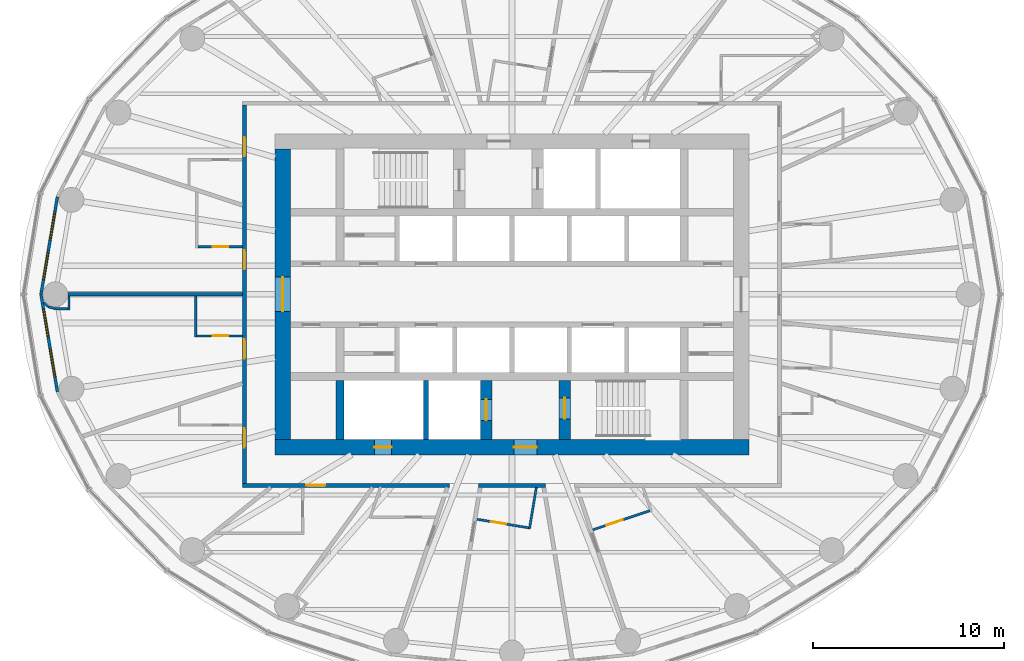
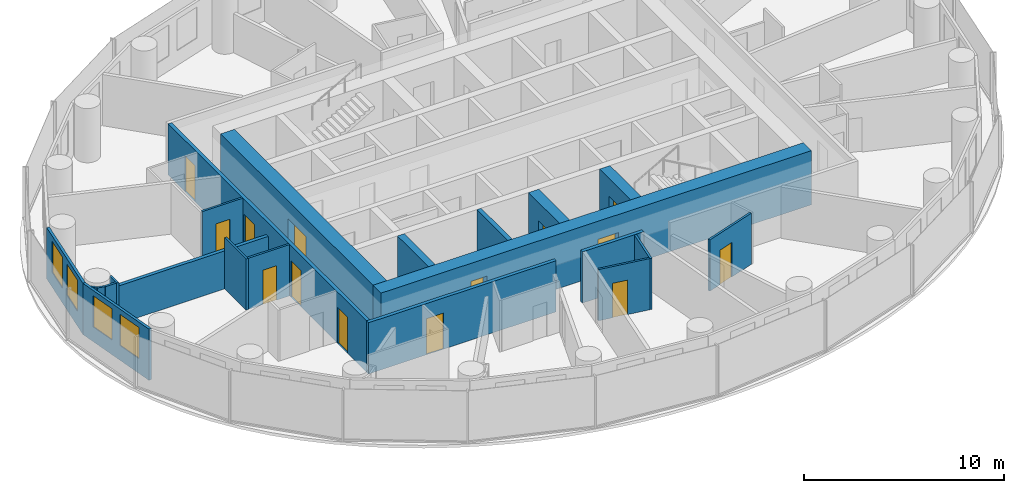
# One storey, part 7 of 13: 22 walls, 14 doors, 4 windows, 18 openings.
"""IFC4 building model written with IfcOpenShell, lengths in metres."""

from ifc_helpers import new_model, si_unit, direction, frame, frame_2d, origin, place, context, subcontext, project, spatial, rectangle, extrude, material, layer, layer_set, type_object, element, fill, save


model = new_model("IFC4")

# Units and contexts
model_context = context("Model", 3, precision=1e-05, world=origin(), true_north=direction((0.0, 1.0)))
body_context = subcontext(model_context, "Body", "Model", "MODEL_VIEW")
ifc_project = project(units=[si_unit("LENGTHUNIT", "METRE"), si_unit("AREAUNIT", "SQUARE_METRE"), si_unit("VOLUMEUNIT", "CUBIC_METRE"), si_unit("PLANEANGLEUNIT", "RADIAN"), si_unit("MASSUNIT", "GRAM", prefix="KILO")], contexts=[model_context])

# Site, building, storey
site_placement = place(None, origin())
site = spatial("IfcSite", under=ifc_project, at=site_placement, CompositionType="ELEMENT")
building_placement = place(site_placement, origin())
building = spatial("IfcBuilding", under=site, at=building_placement, Name="Hankou Lantern Tower", CompositionType="ELEMENT")
storey_placement = place(building_placement, frame((0.0, 0.0, 122.10009765625)))
storey = spatial("IfcBuildingStorey", under=building, at=storey_placement, Name="L31", CompositionType="ELEMENT", Elevation=122.10009765625)

# Wall, openings, doors
ifc_material_1 = material(Name="Concrete C60", Category="concrete")
ifc_layer_1 = layer(ifc_material_1, 0.800048828125)
ifc_layer_set_1 = layer_set([ifc_layer_1], Name="Concrete C60")
wall_type_1 = type_object("IfcWallType", Name="CW2 CORE WALL 800", PredefinedType="SHEAR", material=ifc_layer_set_1)
wall_1_placement = place(storey_placement, frame((12.39990234375, -8.0, 0.0), z_axis=(0.0, 0.0, 1.0), x_axis=(-1.0, 0.0, 0.0)))
wall_1 = element("IfcWall", 1, at=wall_1_placement, inside=storey, type_object=wall_type_1, Name="Core wall south L31", PredefinedType="SHEAR", context=body_context, shape_type="SweptSolid", body=[
    extrude(rectangle(XDim=24.7998046875, YDim=0.800048828125, at=frame_2d((12.39990234375, 0.0))), origin(), (0.0, 0.0, 1.0), 3.2998046875),
])
opening_1_placement = place(wall_1_placement, frame((11.10009765625, 0.0, 0.0)))
opening_1 = element("IfcOpeningElement", 2, at=opening_1_placement, cuts=wall_1, Name="Opening D5", PredefinedType="OPENING", context=body_context, shape_type="SweptSolid", body=[
    extrude(rectangle(XDim=1.199951171875, YDim=2.199951171875, at=frame_2d((0.60009765625, 1.10009765625))), frame((0.0, 0.409912109375, 0.0), z_axis=(0.0, -1.0, 0.0), x_axis=(1.0, 0.0, 0.0)), (0.0, 0.0, 1.0), 0.820068359375),
])
opening_2_placement = place(wall_1_placement, frame((18.699951171875, 0.0, 0.0)))
opening_2 = element("IfcOpeningElement", 3, at=opening_2_placement, cuts=wall_1, Name="Opening D7", PredefinedType="OPENING", context=body_context, shape_type="SweptSolid", body=[
    extrude(rectangle(XDim=0.89990234375, YDim=2.199951171875, at=frame_2d((0.449951171875, 1.10009765625))), frame((0.0, 0.409912109375, 0.0), z_axis=(0.0, -1.0, 0.0), x_axis=(1.0, 0.0, 0.0)), (0.0, 0.0, 1.0), 0.820068359375),
])
ifc_material_2 = material(Name="Steel door leaf", Category="steel")
door_type_1 = type_object("IfcDoorType", Name="D5 STAIR LOBBY DOOR 1200X2200", OperationType="SINGLE_SWING_LEFT", PredefinedType="DOOR", material=ifc_material_2)
door_1_placement = place(opening_1_placement, origin())
door_1 = element("IfcDoor", 4, at=door_1_placement, inside=storey, type_object=door_type_1, Name="Stair B lobby door", OperationType="SINGLE_SWING_LEFT", OverallHeight=2.199951171875, OverallWidth=1.199951171875, PredefinedType="DOOR", context=body_context, shape_type="SweptSolid", body=[
    extrude(rectangle(XDim=1.199951171875, YDim=2.199951171875, at=frame_2d((0.60009765625, 1.10009765625))), frame((0.0, 0.02490234375, 0.0), z_axis=(0.0, -1.0, 0.0), x_axis=(1.0, 0.0, 0.0)), (0.0, 0.0, 1.0), 0.050048828125),
])
fill(opening_1, door_1)
ifc_material_3 = material(Name="Steel door leaf", Category="steel")
door_type_2 = type_object("IfcDoorType", Name="D7 RISER DOOR 900X2200", OperationType="SINGLE_SWING_LEFT", PredefinedType="DOOR", material=ifc_material_3)
door_2_placement = place(opening_2_placement, origin())
door_2 = element("IfcDoor", 5, at=door_2_placement, inside=storey, type_object=door_type_2, Name="Riser S1 door", OperationType="SINGLE_SWING_RIGHT", OverallHeight=2.199951171875, OverallWidth=0.89990234375, PredefinedType="DOOR", context=body_context, shape_type="SweptSolid", body=[
    extrude(rectangle(XDim=0.89990234375, YDim=2.199951171875, at=frame_2d((0.449951171875, 1.10009765625))), frame((0.0, 0.02490234375, 0.0), z_axis=(0.0, -1.0, 0.0), x_axis=(1.0, 0.0, 0.0)), (0.0, 0.0, 1.0), 0.050048828125),
])
fill(opening_2, door_2)

# Wall, opening, door
wall_2_placement = place(storey_placement, frame((-12.0, 7.60009765625, 0.0), z_axis=(0.0, 0.0, 1.0), x_axis=(0.0, -1.0, 0.0)))
wall_2 = element("IfcWall", 6, at=wall_2_placement, inside=storey, type_object=wall_type_1, Name="Core wall west L31", PredefinedType="SHEAR", context=body_context, shape_type="SweptSolid", body=[
    extrude(rectangle(XDim=15.2001953125, YDim=0.800048828125, at=frame_2d((7.60009765625, 0.0))), origin(), (0.0, 0.0, 1.0), 3.2998046875),
])
opening_3_placement = place(wall_2_placement, frame((6.699951171875, 0.0, 0.0)))
opening_3 = element("IfcOpeningElement", 7, at=opening_3_placement, cuts=wall_2, Name="Opening D6", PredefinedType="OPENING", context=body_context, shape_type="SweptSolid", body=[
    extrude(rectangle(XDim=1.800048828125, YDim=2.199951171875, at=frame_2d((0.89990234375, 1.10009765625))), frame((0.0, 0.409912109375, 0.0), z_axis=(0.0, -1.0, 0.0), x_axis=(1.0, 0.0, 0.0)), (0.0, 0.0, 1.0), 0.820068359375),
])
ifc_material_4 = material(Name="Steel door leaf", Category="steel")
door_type_3 = type_object("IfcDoorType", Name="D6 LIFT LOBBY DOOR 1800X2200", OperationType="DOUBLE_DOOR_DOUBLE_SWING", PredefinedType="DOOR", material=ifc_material_4)
door_3_placement = place(opening_3_placement, origin())
door_3 = element("IfcDoor", 8, at=door_3_placement, inside=storey, type_object=door_type_3, Name="Lift lobby west door", OperationType="DOUBLE_DOOR_DOUBLE_SWING", OverallHeight=2.199951171875, OverallWidth=1.800048828125, PredefinedType="DOOR", context=body_context, shape_type="SweptSolid", body=[
    extrude(rectangle(XDim=1.800048828125, YDim=2.199951171875, at=frame_2d((0.89990234375, 1.10009765625))), frame((0.0, 0.02490234375, 0.0), z_axis=(0.0, -1.0, 0.0), x_axis=(1.0, 0.0, 0.0)), (0.0, 0.0, 1.0), 0.050048828125),
])
fill(opening_3, door_3)

# Wall
ifc_material_5 = material(Name="Concrete C60", Category="concrete")
ifc_layer_2 = layer(ifc_material_5, 0.39990234375)
ifc_layer_set_2 = layer_set([ifc_layer_2], Name="Concrete C60")
wall_type_2 = type_object("IfcWallType", Name="CW4 CORE CROSS WALL 400", PredefinedType="SHEAR", material=ifc_layer_set_2)
wall_3_placement = place(storey_placement, frame((-9.0, -7.60009765625, 0.0), z_axis=(0.0, 0.0, 1.0), x_axis=(0.0, 1.0, 0.0)))
element("IfcWall", 9, at=wall_3_placement, inside=storey, type_object=wall_type_2, Name="Core strip wall L31", PredefinedType="SHEAR", context=body_context, shape_type="SweptSolid", body=[
    extrude(rectangle(XDim=3.10009765625, YDim=0.39990234375, at=frame_2d((1.550048828125, 0.0))), origin(), (0.0, 0.0, 1.0), 3.2998046875),
])

# Wall, opening, door
ifc_material_6 = material(Name="Concrete C60", Category="concrete")
ifc_layer_3 = layer(ifc_material_6, 0.60009765625)
ifc_layer_set_3 = layer_set([ifc_layer_3], Name="Concrete C60")
wall_type_3 = type_object("IfcWallType", Name="CW6 STAIR AND SHAFT WALL 600", PredefinedType="SHEAR", material=ifc_layer_set_3)
wall_4_placement = place(storey_placement, frame((2.75, -7.60009765625, 0.0), z_axis=(0.0, 0.0, 1.0), x_axis=(0.0, 1.0, 0.0)))
wall_4 = element("IfcWall", 10, at=wall_4_placement, inside=storey, type_object=wall_type_3, Name="Stair wall L31", PredefinedType="SHEAR", context=body_context, shape_type="SweptSolid", body=[
    extrude(rectangle(XDim=3.10009765625, YDim=0.60009765625, at=frame_2d((1.550048828125, 0.0))), origin(), (0.0, 0.0, 1.0), 3.2998046875),
])
opening_4_placement = place(wall_4_placement, frame((1.074951171875, 0.0, 0.0)))
opening_4 = element("IfcOpeningElement", 11, at=opening_4_placement, cuts=wall_4, Name="Opening D4", PredefinedType="OPENING", context=body_context, shape_type="SweptSolid", body=[
    extrude(rectangle(XDim=1.10009765625, YDim=2.199951171875, at=frame_2d((0.550048828125, 1.10009765625))), frame((0.0, 0.31005859375, 0.0), z_axis=(0.0, -1.0, 0.0), x_axis=(1.0, 0.0, 0.0)), (0.0, 0.0, 1.0), 0.6201171875),
])
ifc_material_7 = material(Name="Steel door leaf", Category="steel")
door_type_4 = type_object("IfcDoorType", Name="D4 STAIR DOOR 1100X2200", OperationType="SINGLE_SWING_LEFT", PredefinedType="DOOR", material=ifc_material_7)
door_4_placement = place(opening_4_placement, origin())
door_4 = element("IfcDoor", 12, at=door_4_placement, inside=storey, type_object=door_type_4, Name="Stair B door", OperationType="SINGLE_SWING_RIGHT", OverallHeight=2.199951171875, OverallWidth=1.10009765625, PredefinedType="DOOR", context=body_context, shape_type="SweptSolid", body=[
    extrude(rectangle(XDim=1.10009765625, YDim=2.199951171875, at=frame_2d((0.550048828125, 1.10009765625))), frame((0.0, 0.02490234375, 0.0), z_axis=(0.0, -1.0, 0.0), x_axis=(1.0, 0.0, 0.0)), (0.0, 0.0, 1.0), 0.050048828125),
])
fill(opening_4, door_4)

wall_5_placement = place(storey_placement, frame((-1.35009765625, -7.60009765625, 0.0), z_axis=(0.0, 0.0, 1.0), x_axis=(0.0, 1.0, 0.0)))
wall_5 = element("IfcWall", 13, at=wall_5_placement, inside=storey, type_object=wall_type_3, Name="Firefighting lift shaft wall L31", PredefinedType="SHEAR", context=body_context, shape_type="SweptSolid", body=[
    extrude(rectangle(XDim=3.10009765625, YDim=0.60009765625, at=frame_2d((1.550048828125, 0.0))), origin(), (0.0, 0.0, 1.0), 3.2998046875),
])
opening_5_placement = place(wall_5_placement, frame((1.0, 0.0, 0.0)))
opening_5 = element("IfcOpeningElement", 14, at=opening_5_placement, cuts=wall_5, Name="Opening LD2", PredefinedType="OPENING", context=body_context, shape_type="SweptSolid", body=[
    extrude(rectangle(XDim=1.10009765625, YDim=2.199951171875, at=frame_2d((0.550048828125, 1.10009765625))), frame((0.0, 0.31005859375, 0.0), z_axis=(0.0, -1.0, 0.0), x_axis=(1.0, 0.0, 0.0)), (0.0, 0.0, 1.0), 0.6201171875),
])
ifc_material_8 = material(Name="Steel door leaf", Category="steel")
door_type_5 = type_object("IfcDoorType", Name="LD2 FIREFIGHTING LIFT LANDING DOOR 1100X2200", OperationType="DOUBLE_DOOR_SLIDING", PredefinedType="DOOR", material=ifc_material_8)
door_5_placement = place(opening_5_placement, origin())
door_5 = element("IfcDoor", 15, at=door_5_placement, inside=storey, type_object=door_type_5, Name="Firefighting lift FL2 landing door", OperationType="DOUBLE_DOOR_SLIDING", OverallHeight=2.199951171875, OverallWidth=1.10009765625, PredefinedType="DOOR", context=body_context, shape_type="SweptSolid", body=[
    extrude(rectangle(XDim=1.10009765625, YDim=2.199951171875, at=frame_2d((0.550048828125, 1.10009765625))), frame((0.0, 0.02490234375, 0.0), z_axis=(0.0, -1.0, 0.0), x_axis=(1.0, 0.0, 0.0)), (0.0, 0.0, 1.0), 0.050048828125),
])
fill(opening_5, door_5)

# Wall, openings, windows
ifc_material_9 = material(Name="Aluminium spandrel panel on steel studs", Category="steel")
ifc_layer_4 = layer(ifc_material_9, 0.14990234375)
ifc_layer_set_4 = layer_set([ifc_layer_4], Name="Aluminium spandrel panel on steel studs")
wall_type_4 = type_object("IfcWallType", Name="EW1 INNER SKIN WALL 150", PredefinedType="ELEMENTEDWALL", material=ifc_layer_set_4)
wall_6_placement = place(storey_placement, frame((-23.7919921875, 5.10009765625, 0.0), z_axis=(0.0, 0.0, 1.0), x_axis=(-0.165883894218, -0.986145290329, 0.0)))
wall_6 = element("IfcWall", 16, at=wall_6_placement, inside=storey, type_object=wall_type_4, Name="Inner skin R12-R13 L31", PredefinedType="ELEMENTEDWALL", context=body_context, shape_type="SweptSolid", body=[
    extrude(rectangle(XDim=5.171630859375, YDim=0.14990234375, at=frame_2d((2.5859375, 0.0))), origin(), (0.0, 0.0, 1.0), 3.119873046875),
])
opening_6_placement = place(wall_6_placement, frame((0.785888671875, 0.0, 0.89990234375)))
opening_6 = element("IfcOpeningElement", 17, at=opening_6_placement, cuts=wall_6, Name="Opening W2", PredefinedType="OPENING", context=body_context, shape_type="SweptSolid", body=[
    extrude(rectangle(XDim=1.5, YDim=1.89990234375, at=frame_2d((0.75, 0.949951171875))), frame((0.0, 0.0849609375, 0.0), z_axis=(0.0, -1.0, 0.0), x_axis=(1.0, 0.0, 0.0)), (0.0, 0.0, 1.0), 0.169921875),
])
opening_7_placement = place(wall_6_placement, frame((2.8857421875, 0.0, 0.89990234375)))
opening_7 = element("IfcOpeningElement", 18, at=opening_7_placement, cuts=wall_6, Name="Opening W2", PredefinedType="OPENING", context=body_context, shape_type="SweptSolid", body=[
    extrude(rectangle(XDim=1.5, YDim=1.89990234375, at=frame_2d((0.75, 0.949951171875))), frame((0.0, 0.0849609375, 0.0), z_axis=(0.0, -1.0, 0.0), x_axis=(1.0, 0.0, 0.0)), (0.0, 0.0, 1.0), 0.169921875),
])
ifc_material_10 = material(Name="Aluminium framed double glazed window", Category="aluminium")
window_type = type_object("IfcWindowType", Name="W2 GUEST ROOM WINDOW 1500X1900", PartitioningType="DOUBLE_PANEL_VERTICAL", PredefinedType="WINDOW", material=ifc_material_10)
window_1_placement = place(opening_6_placement, origin())
window_1 = element("IfcWindow", 19, at=window_1_placement, inside=storey, type_object=window_type, Name="Window R12.1 L31", OverallHeight=1.89990234375, OverallWidth=1.5, PartitioningType="SINGLE_PANEL", PredefinedType="WINDOW", context=body_context, shape_type="SweptSolid", body=[
    extrude(rectangle(XDim=1.5, YDim=1.89990234375, at=frame_2d((0.75, 0.949951171875))), frame((0.0, 0.030029296875, 0.0), z_axis=(0.0, -1.0, 0.0), x_axis=(1.0, 0.0, 0.0)), (0.0, 0.0, 1.0), 0.06005859375),
])
fill(opening_6, window_1)
window_2_placement = place(opening_7_placement, origin())
window_2 = element("IfcWindow", 20, at=window_2_placement, inside=storey, type_object=window_type, Name="Window R12.2 L31", OverallHeight=1.89990234375, OverallWidth=1.5, PartitioningType="SINGLE_PANEL", PredefinedType="WINDOW", context=body_context, shape_type="SweptSolid", body=[
    extrude(rectangle(XDim=1.5, YDim=1.89990234375, at=frame_2d((0.75, 0.949951171875))), frame((0.0, 0.030029296875, 0.0), z_axis=(0.0, -1.0, 0.0), x_axis=(1.0, 0.0, 0.0)), (0.0, 0.0, 1.0), 0.06005859375),
])
fill(opening_7, window_2)

wall_7_placement = place(storey_placement, frame((-24.64990234375, 0.0, 0.0), z_axis=(0.0, 0.0, 1.0), x_axis=(0.165883894218, -0.986145290329, 0.0)))
wall_7 = element("IfcWall", 21, at=wall_7_placement, inside=storey, type_object=wall_type_4, Name="Inner skin R13-R14 L31", PredefinedType="ELEMENTEDWALL", context=body_context, shape_type="SweptSolid", body=[
    extrude(rectangle(XDim=5.171630859375, YDim=0.14990234375, at=frame_2d((2.5859375, 0.0))), origin(), (0.0, 0.0, 1.0), 3.119873046875),
])
opening_8_placement = place(wall_7_placement, frame((0.785888671875, 0.0, 0.89990234375)))
opening_8 = element("IfcOpeningElement", 22, at=opening_8_placement, cuts=wall_7, Name="Opening W2", PredefinedType="OPENING", context=body_context, shape_type="SweptSolid", body=[
    extrude(rectangle(XDim=1.5, YDim=1.89990234375, at=frame_2d((0.75, 0.949951171875))), frame((0.0, 0.0849609375, 0.0), z_axis=(0.0, -1.0, 0.0), x_axis=(1.0, 0.0, 0.0)), (0.0, 0.0, 1.0), 0.169921875),
])
opening_9_placement = place(wall_7_placement, frame((2.8857421875, 0.0, 0.89990234375)))
opening_9 = element("IfcOpeningElement", 23, at=opening_9_placement, cuts=wall_7, Name="Opening W2", PredefinedType="OPENING", context=body_context, shape_type="SweptSolid", body=[
    extrude(rectangle(XDim=1.5, YDim=1.89990234375, at=frame_2d((0.75, 0.949951171875))), frame((0.0, 0.0849609375, 0.0), z_axis=(0.0, -1.0, 0.0), x_axis=(1.0, 0.0, 0.0)), (0.0, 0.0, 1.0), 0.169921875),
])
window_3_placement = place(opening_8_placement, origin())
window_3 = element("IfcWindow", 24, at=window_3_placement, inside=storey, type_object=window_type, Name="Window R13.1 L31", OverallHeight=1.89990234375, OverallWidth=1.5, PartitioningType="SINGLE_PANEL", PredefinedType="WINDOW", context=body_context, shape_type="SweptSolid", body=[
    extrude(rectangle(XDim=1.5, YDim=1.89990234375, at=frame_2d((0.75, 0.949951171875))), frame((0.0, 0.030029296875, 0.0), z_axis=(0.0, -1.0, 0.0), x_axis=(1.0, 0.0, 0.0)), (0.0, 0.0, 1.0), 0.06005859375),
])
fill(opening_8, window_3)
window_4_placement = place(opening_9_placement, origin())
window_4 = element("IfcWindow", 25, at=window_4_placement, inside=storey, type_object=window_type, Name="Window R13.2 L31", OverallHeight=1.89990234375, OverallWidth=1.5, PartitioningType="SINGLE_PANEL", PredefinedType="WINDOW", context=body_context, shape_type="SweptSolid", body=[
    extrude(rectangle(XDim=1.5, YDim=1.89990234375, at=frame_2d((0.75, 0.949951171875))), frame((0.0, 0.030029296875, 0.0), z_axis=(0.0, -1.0, 0.0), x_axis=(1.0, 0.0, 0.0)), (0.0, 0.0, 1.0), 0.06005859375),
])
fill(opening_9, window_4)

# Wall
ifc_material_11 = material(Name="Masonry lightweight concrete block", Category="masonry")
ifc_layer_5 = layer(ifc_material_11, 0.199951171875)
ifc_layer_set_5 = layer_set([ifc_layer_5], Name="Masonry lightweight concrete block")
wall_type_5 = type_object("IfcWallType", Name="IW1 GUEST ROOM PARTY WALL 200", PredefinedType="PARTITIONING", material=ifc_layer_set_5)
wall_8_placement = place(storey_placement, frame((-14.10009765625, 0.0, 0.0), z_axis=(0.0, 0.0, 1.0), x_axis=(-1.0, 0.0, 0.0)))
element("IfcWall", 26, at=wall_8_placement, inside=storey, type_object=wall_type_5, Name="Party wall R13", PredefinedType="PARTITIONING", context=body_context, shape_type="SweptSolid", body=[
    extrude(rectangle(XDim=9.14990234375, YDim=0.199951171875, at=frame_2d((4.574951171875, 0.0))), origin(), (0.0, 0.0, 1.0), 2.31982421875),
])

# Wall, openings, doors
ifc_material_12 = material(Name="Masonry lightweight concrete block", Category="masonry")
ifc_layer_6 = layer(ifc_material_12, 0.199951171875)
ifc_layer_set_6 = layer_set([ifc_layer_6], Name="Masonry lightweight concrete block")
wall_type_6 = type_object("IfcWallType", Name="IW2 CORRIDOR WALL 200", PredefinedType="PARTITIONING", material=ifc_layer_set_6)
wall_9_placement = place(storey_placement, frame((-14.0, 9.89990234375, 0.0), z_axis=(0.0, 0.0, 1.0), x_axis=(0.0, -1.0, 0.0)))
wall_9 = element("IfcWall", 27, at=wall_9_placement, inside=storey, type_object=wall_type_6, Name="Corridor wall west", PredefinedType="PARTITIONING", context=body_context, shape_type="SweptSolid", body=[
    extrude(rectangle(XDim=19.7998046875, YDim=0.199951171875, at=frame_2d((9.89990234375, 0.0))), origin(), (0.0, 0.0, 1.0), 3.119873046875),
])
opening_10_placement = place(wall_9_placement, frame((1.677734375, 0.0, 0.0)))
opening_10 = element("IfcOpeningElement", 28, at=opening_10_placement, cuts=wall_9, Name="Opening D2", PredefinedType="OPENING", context=body_context, shape_type="SweptSolid", body=[
    extrude(rectangle(XDim=1.0, YDim=2.199951171875, at=frame_2d((0.5, 1.10009765625))), frame((0.0, 0.10986328125, 0.0), z_axis=(0.0, -1.0, 0.0), x_axis=(1.0, 0.0, 0.0)), (0.0, 0.0, 1.0), 0.219970703125),
])
opening_11_placement = place(wall_9_placement, frame((7.59765625, 0.0, 0.0)))
opening_11 = element("IfcOpeningElement", 29, at=opening_11_placement, cuts=wall_9, Name="Opening D1", PredefinedType="OPENING", context=body_context, shape_type="SweptSolid", body=[
    extrude(rectangle(XDim=1.0, YDim=2.199951171875, at=frame_2d((0.5, 1.10009765625))), frame((0.0, 0.10986328125, 0.0), z_axis=(0.0, -1.0, 0.0), x_axis=(1.0, 0.0, 0.0)), (0.0, 0.0, 1.0), 0.219970703125),
])
opening_12_placement = place(wall_9_placement, frame((12.260009765625, 0.0, 0.0)))
opening_12 = element("IfcOpeningElement", 30, at=opening_12_placement, cuts=wall_9, Name="Opening D1", PredefinedType="OPENING", context=body_context, shape_type="SweptSolid", body=[
    extrude(rectangle(XDim=1.0, YDim=2.199951171875, at=frame_2d((0.5, 1.10009765625))), frame((0.0, 0.10986328125, 0.0), z_axis=(0.0, -1.0, 0.0), x_axis=(1.0, 0.0, 0.0)), (0.0, 0.0, 1.0), 0.219970703125),
])
opening_13_placement = place(wall_9_placement, frame((16.92236328125, 0.0, 0.0)))
opening_13 = element("IfcOpeningElement", 31, at=opening_13_placement, cuts=wall_9, Name="Opening D1", PredefinedType="OPENING", context=body_context, shape_type="SweptSolid", body=[
    extrude(rectangle(XDim=1.0, YDim=2.199951171875, at=frame_2d((0.5, 1.10009765625))), frame((0.0, 0.10986328125, 0.0), z_axis=(0.0, -1.0, 0.0), x_axis=(1.0, 0.0, 0.0)), (0.0, 0.0, 1.0), 0.219970703125),
])
ifc_material_13 = material(Name="Steel door leaf", Category="steel")
door_type_6 = type_object("IfcDoorType", Name="D1 GUEST ROOM DOOR 1000X2200", OperationType="SINGLE_SWING_LEFT", PredefinedType="DOOR", material=ifc_material_13)
door_6_placement = place(opening_11_placement, origin())
door_6 = element("IfcDoor", 32, at=door_6_placement, inside=storey, type_object=door_type_6, Name="Guest room door 3106", OperationType="SINGLE_SWING_LEFT", OverallHeight=2.199951171875, OverallWidth=1.0, PredefinedType="DOOR", context=body_context, shape_type="SweptSolid", body=[
    extrude(rectangle(XDim=1.0, YDim=2.199951171875, at=frame_2d((0.5, 1.10009765625))), frame((0.0, 0.02490234375, 0.0), z_axis=(0.0, -1.0, 0.0), x_axis=(1.0, 0.0, 0.0)), (0.0, 0.0, 1.0), 0.050048828125),
])
fill(opening_11, door_6)
door_7_placement = place(opening_12_placement, origin())
door_7 = element("IfcDoor", 33, at=door_7_placement, inside=storey, type_object=door_type_6, Name="Guest room door 3107", OperationType="SINGLE_SWING_RIGHT", OverallHeight=2.199951171875, OverallWidth=1.0, PredefinedType="DOOR", context=body_context, shape_type="SweptSolid", body=[
    extrude(rectangle(XDim=1.0, YDim=2.199951171875, at=frame_2d((0.5, 1.10009765625))), frame((0.0, 0.02490234375, 0.0), z_axis=(0.0, -1.0, 0.0), x_axis=(1.0, 0.0, 0.0)), (0.0, 0.0, 1.0), 0.050048828125),
])
fill(opening_12, door_7)
door_8_placement = place(opening_13_placement, origin())
door_8 = element("IfcDoor", 34, at=door_8_placement, inside=storey, type_object=door_type_6, Name="Guest room door 3108", OperationType="SINGLE_SWING_RIGHT", OverallHeight=2.199951171875, OverallWidth=1.0, PredefinedType="DOOR", context=body_context, shape_type="SweptSolid", body=[
    extrude(rectangle(XDim=1.0, YDim=2.199951171875, at=frame_2d((0.5, 1.10009765625))), frame((0.0, 0.02490234375, 0.0), z_axis=(0.0, -1.0, 0.0), x_axis=(1.0, 0.0, 0.0)), (0.0, 0.0, 1.0), 0.050048828125),
])
fill(opening_13, door_8)
ifc_material_14 = material(Name="Steel door leaf", Category="steel")
door_type_7 = type_object("IfcDoorType", Name="D2 SUITE DOOR 1000X2200", OperationType="SINGLE_SWING_LEFT", PredefinedType="DOOR", material=ifc_material_14)
door_9_placement = place(opening_10_placement, origin())
door_9 = element("IfcDoor", 35, at=door_9_placement, inside=storey, type_object=door_type_7, Name="Suite door 3105", OperationType="SINGLE_SWING_LEFT", OverallHeight=2.199951171875, OverallWidth=1.0, PredefinedType="DOOR", context=body_context, shape_type="SweptSolid", body=[
    extrude(rectangle(XDim=1.0, YDim=2.199951171875, at=frame_2d((0.5, 1.10009765625))), frame((0.0, 0.02490234375, 0.0), z_axis=(0.0, -1.0, 0.0), x_axis=(1.0, 0.0, 0.0)), (0.0, 0.0, 1.0), 0.050048828125),
])
fill(opening_10, door_9)

# Wall
wall_10_placement = place(storey_placement, frame((1.76513671875, -10.0, 0.0), z_axis=(0.0, 0.0, 1.0), x_axis=(-1.0, 0.0, 0.0)))
element("IfcWall", 36, at=wall_10_placement, inside=storey, type_object=wall_type_6, Name="Corridor wall south", PredefinedType="PARTITIONING", context=body_context, shape_type="SweptSolid", body=[
    extrude(rectangle(XDim=3.5302734375, YDim=0.199951171875, at=frame_2d((1.76513671875, 0.0))), origin(), (0.0, 0.0, 1.0), 3.119873046875),
])

# Wall, opening, door
wall_11_placement = place(storey_placement, frame((-3.282958984375, -10.0, 0.0), z_axis=(0.0, 0.0, 1.0), x_axis=(-1.0, 0.0, 0.0)))
wall_11 = element("IfcWall", 37, at=wall_11_placement, inside=storey, type_object=wall_type_6, Name="Corridor wall south", PredefinedType="PARTITIONING", context=body_context, shape_type="SweptSolid", body=[
    extrude(rectangle(XDim=10.817138671875, YDim=0.199951171875, at=frame_2d((5.40869140625, 0.0))), origin(), (0.0, 0.0, 1.0), 3.119873046875),
])
opening_14_placement = place(wall_11_placement, frame((6.482177734375, 0.0, 0.0)))
opening_14 = element("IfcOpeningElement", 38, at=opening_14_placement, cuts=wall_11, Name="Opening D1", PredefinedType="OPENING", context=body_context, shape_type="SweptSolid", body=[
    extrude(rectangle(XDim=1.0, YDim=2.199951171875, at=frame_2d((0.5, 1.10009765625))), frame((0.0, 0.10986328125, 0.0), z_axis=(0.0, -1.0, 0.0), x_axis=(1.0, 0.0, 0.0)), (0.0, 0.0, 1.0), 0.219970703125),
])
door_10_placement = place(opening_14_placement, origin())
door_10 = element("IfcDoor", 39, at=door_10_placement, inside=storey, type_object=door_type_6, Name="Guest room door 3109", OperationType="SINGLE_SWING_RIGHT", OverallHeight=2.199951171875, OverallWidth=1.0, PredefinedType="DOOR", context=body_context, shape_type="SweptSolid", body=[
    extrude(rectangle(XDim=1.0, YDim=2.199951171875, at=frame_2d((0.5, 1.10009765625))), frame((0.0, 0.02490234375, 0.0), z_axis=(0.0, -1.0, 0.0), x_axis=(1.0, 0.0, 0.0)), (0.0, 0.0, 1.0), 0.050048828125),
])
fill(opening_14, door_10)

ifc_material_15 = material(Name="Masonry lightweight concrete block", Category="masonry")
ifc_layer_7 = layer(ifc_material_15, 0.1201171875)
ifc_layer_set_7 = layer_set([ifc_layer_7], Name="Masonry lightweight concrete block")
wall_type_7 = type_object("IfcWallType", Name="IW3 BATHROOM WALL 120", PredefinedType="PARTITIONING", material=ifc_layer_set_7)
wall_12_placement = place(storey_placement, frame((-14.10009765625, 2.482177734375, 0.0), z_axis=(0.0, 0.0, 1.0), x_axis=(-1.0, 0.0, 0.0)))
wall_12 = element("IfcWall", 40, at=wall_12_placement, inside=storey, type_object=wall_type_7, Name="Box wall 3106 1", PredefinedType="PARTITIONING", context=body_context, shape_type="SweptSolid", body=[
    extrude(rectangle(XDim=2.33984375, YDim=0.1201171875, at=frame_2d((1.169921875, 0.0))), origin(), (0.0, 0.0, 1.0), 3.119873046875),
])
opening_15_placement = place(wall_12_placement, frame((0.75, 0.0, 0.0)))
opening_15 = element("IfcOpeningElement", 41, at=opening_15_placement, cuts=wall_12, Name="Opening D3", PredefinedType="OPENING", context=body_context, shape_type="SweptSolid", body=[
    extrude(rectangle(XDim=0.800048828125, YDim=2.10009765625, at=frame_2d((0.39990234375, 1.050048828125))), frame((0.0, 0.070068359375, 0.0), z_axis=(0.0, -1.0, 0.0), x_axis=(1.0, 0.0, 0.0)), (0.0, 0.0, 1.0), 0.14013671875),
])
ifc_material_16 = material(Name="Timber door leaf", Category="wood")
door_type_8 = type_object("IfcDoorType", Name="D3 BATHROOM DOOR 800X2100", OperationType="SINGLE_SWING_LEFT", PredefinedType="DOOR", material=ifc_material_16)
door_11_placement = place(opening_15_placement, origin())
door_11 = element("IfcDoor", 42, at=door_11_placement, inside=storey, type_object=door_type_8, Name="En-suite bathroom 3106 door", OperationType="SINGLE_SWING_LEFT", OverallHeight=2.10009765625, OverallWidth=0.800048828125, PredefinedType="DOOR", context=body_context, shape_type="SweptSolid", body=[
    extrude(rectangle(XDim=0.800048828125, YDim=2.10009765625, at=frame_2d((0.39990234375, 1.050048828125))), frame((0.0, 0.02490234375, 0.0), z_axis=(0.0, -1.0, 0.0), x_axis=(1.0, 0.0, 0.0)), (0.0, 0.0, 1.0), 0.050048828125),
])
fill(opening_15, door_11)

# Wall
wall_13_placement = place(storey_placement, frame((-16.550048828125, -0.10009765625, 0.0), z_axis=(0.0, 0.0, 1.0), x_axis=(0.0, -1.0, 0.0)))
element("IfcWall", 43, at=wall_13_placement, inside=storey, type_object=wall_type_7, Name="Box wall 3107 1", PredefinedType="PARTITIONING", context=body_context, shape_type="SweptSolid", body=[
    extrude(rectangle(XDim=2.139892578125, YDim=0.1201171875, at=frame_2d((1.06982421875, 0.0))), origin(), (0.0, 0.0, 1.0), 3.119873046875),
])

# Wall, opening, door
wall_14_placement = place(storey_placement, frame((-14.10009765625, -2.179931640625, 0.0), z_axis=(0.0, 0.0, 1.0), x_axis=(-1.0, 0.0, 0.0)))
wall_14 = element("IfcWall", 44, at=wall_14_placement, inside=storey, type_object=wall_type_7, Name="Box wall 3107 1", PredefinedType="PARTITIONING", context=body_context, shape_type="SweptSolid", body=[
    extrude(rectangle(XDim=2.389892578125, YDim=0.1201171875, at=frame_2d((1.19482421875, 0.0))), origin(), (0.0, 0.0, 1.0), 3.119873046875),
])
opening_16_placement = place(wall_14_placement, frame((0.75, 0.0, 0.0)))
opening_16 = element("IfcOpeningElement", 45, at=opening_16_placement, cuts=wall_14, Name="Opening D3", PredefinedType="OPENING", context=body_context, shape_type="SweptSolid", body=[
    extrude(rectangle(XDim=0.800048828125, YDim=2.10009765625, at=frame_2d((0.39990234375, 1.050048828125))), frame((0.0, 0.070068359375, 0.0), z_axis=(0.0, -1.0, 0.0), x_axis=(1.0, 0.0, 0.0)), (0.0, 0.0, 1.0), 0.14013671875),
])
door_12_placement = place(opening_16_placement, origin())
door_12 = element("IfcDoor", 46, at=door_12_placement, inside=storey, type_object=door_type_8, Name="En-suite bathroom 3107 door", OperationType="SINGLE_SWING_LEFT", OverallHeight=2.10009765625, OverallWidth=0.800048828125, PredefinedType="DOOR", context=body_context, shape_type="SweptSolid", body=[
    extrude(rectangle(XDim=0.800048828125, YDim=2.10009765625, at=frame_2d((0.39990234375, 1.050048828125))), frame((0.0, 0.02490234375, 0.0), z_axis=(0.0, -1.0, 0.0), x_axis=(1.0, 0.0, 0.0)), (0.0, 0.0, 1.0), 0.050048828125),
])
fill(opening_16, door_12)

# Wall
wall_15_placement = place(storey_placement, frame((1.271240234375, -10.1162109375, 0.0), z_axis=(0.0, 0.0, 1.0), x_axis=(-0.162672481395, -0.986680122328, 0.0)))
element("IfcWall", 47, at=wall_15_placement, inside=storey, type_object=wall_type_7, Name="Box wall 3112 1", PredefinedType="PARTITIONING", context=body_context, shape_type="SweptSolid", body=[
    extrude(rectangle(XDim=2.20166015625, YDim=0.1201171875, at=frame_2d((1.100830078125, 0.0))), origin(), (0.0, 0.0, 1.0), 3.119873046875),
])

# Wall, opening, door
wall_16_placement = place(storey_placement, frame((-1.83984375, -11.77392578125, 0.0), z_axis=(0.0, 0.0, 1.0), x_axis=(0.986676602341, -0.162693830222, 0.0)))
wall_16 = element("IfcWall", 48, at=wall_16_placement, inside=storey, type_object=wall_type_7, Name="Box wall 3112 1", PredefinedType="PARTITIONING", context=body_context, shape_type="SweptSolid", body=[
    extrude(rectangle(XDim=2.740234375, YDim=0.1201171875, at=frame_2d((1.3701171875, 0.0))), origin(), (0.0, 0.0, 1.0), 3.119873046875),
])
opening_17_placement = place(wall_16_placement, frame((0.75, 0.0, 0.0)))
opening_17 = element("IfcOpeningElement", 49, at=opening_17_placement, cuts=wall_16, Name="Opening D3", PredefinedType="OPENING", context=body_context, shape_type="SweptSolid", body=[
    extrude(rectangle(XDim=0.800048828125, YDim=2.10009765625, at=frame_2d((0.39990234375, 1.050048828125))), frame((0.0, 0.070068359375, 0.0), z_axis=(0.0, -1.0, 0.0), x_axis=(1.0, 0.0, 0.0)), (0.0, 0.0, 1.0), 0.14013671875),
])
door_13_placement = place(opening_17_placement, origin())
door_13 = element("IfcDoor", 50, at=door_13_placement, inside=storey, type_object=door_type_8, Name="En-suite bathroom 3112 door", OperationType="SINGLE_SWING_LEFT", OverallHeight=2.10009765625, OverallWidth=0.800048828125, PredefinedType="DOOR", context=body_context, shape_type="SweptSolid", body=[
    extrude(rectangle(XDim=0.800048828125, YDim=2.10009765625, at=frame_2d((0.39990234375, 1.050048828125))), frame((0.0, 0.02490234375, 0.0), z_axis=(0.0, -1.0, 0.0), x_axis=(1.0, 0.0, 0.0)), (0.0, 0.0, 1.0), 0.050048828125),
])
fill(opening_17, door_13)

wall_17_placement = place(storey_placement, frame((4.233642578125, -12.324951171875, 0.0), z_axis=(0.0, 0.0, 1.0), x_axis=(0.948239154858, 0.317557089663, 0.0)))
wall_17 = element("IfcWall", 51, at=wall_17_placement, inside=storey, type_object=wall_type_7, Name="Box wall 3114 1", PredefinedType="PARTITIONING", context=body_context, shape_type="SweptSolid", body=[
    extrude(rectangle(XDim=3.139892578125, YDim=0.1201171875, at=frame_2d((1.56982421875, 0.0))), origin(), (0.0, 0.0, 1.0), 3.119873046875),
])
opening_18_placement = place(wall_17_placement, frame((0.75, 0.0, 0.0)))
opening_18 = element("IfcOpeningElement", 52, at=opening_18_placement, cuts=wall_17, Name="Opening D26", PredefinedType="OPENING", context=body_context, shape_type="SweptSolid", body=[
    extrude(rectangle(XDim=0.89990234375, YDim=2.10009765625, at=frame_2d((0.449951171875, 1.050048828125))), frame((0.0, 0.070068359375, 0.0), z_axis=(0.0, -1.0, 0.0), x_axis=(1.0, 0.0, 0.0)), (0.0, 0.0, 1.0), 0.14013671875),
])
ifc_material_17 = material(Name="Timber door leaf", Category="wood")
door_type_9 = type_object("IfcDoorType", Name="D26 ACCESSIBLE BATHROOM DOOR 900X2100", OperationType="SLIDING_TO_LEFT", PredefinedType="DOOR", material=ifc_material_17)
door_14_placement = place(opening_18_placement, origin())
door_14 = element("IfcDoor", 53, at=door_14_placement, inside=storey, type_object=door_type_9, Name="Accessible bathroom 3114 door", OperationType="SLIDING_TO_LEFT", OverallHeight=2.10009765625, OverallWidth=0.89990234375, PredefinedType="DOOR", context=body_context, shape_type="SweptSolid", body=[
    extrude(rectangle(XDim=0.89990234375, YDim=2.10009765625, at=frame_2d((0.449951171875, 1.050048828125))), frame((0.0, 0.02490234375, 0.0), z_axis=(0.0, -1.0, 0.0), x_axis=(1.0, 0.0, 0.0)), (0.0, 0.0, 1.0), 0.050048828125),
])
fill(opening_18, door_14)

# Walls
ifc_material_18 = material(Name="Masonry lightweight concrete block", Category="masonry")
ifc_layer_8 = layer(ifc_material_18, 0.1201171875)
ifc_layer_set_8 = layer_set([ifc_layer_8], Name="Masonry lightweight concrete block")
wall_type_8 = type_object("IfcWallType", Name="IW4 PARTITION 120", PredefinedType="PARTITIONING", material=ifc_layer_set_8)
wall_18_placement = place(storey_placement, frame((-23.18994140625, -0.10009765625, 0.0), z_axis=(0.0, 0.0, 1.0), x_axis=(0.0, -1.0, 0.0)))
element("IfcWall", 54, at=wall_18_placement, inside=storey, type_object=wall_type_8, Name="Column casing R13 return", PredefinedType="PARTITIONING", context=body_context, shape_type="SweptSolid", body=[
    extrude(rectangle(XDim=0.715576171875, YDim=0.1201171875, at=frame_2d((0.35791015625, 0.0))), origin(), (0.0, 0.0, 1.0), 3.119873046875),
])
wall_19_placement = place(storey_placement, frame((-23.25, -0.755859375, 0.0), z_axis=(0.0, 0.0, 1.0), x_axis=(-1.0, 0.0, 0.0)))
element("IfcWall", 55, at=wall_19_placement, inside=storey, type_object=wall_type_8, Name="Column casing R13", PredefinedType="PARTITIONING", context=body_context, shape_type="SweptSolid", body=[
    extrude(rectangle(XDim=0.64990234375, YDim=0.1201171875, at=frame_2d((0.324951171875, 0.0))), origin(), (0.0, 0.0, 1.0), 3.119873046875),
])
wall_20_placement = place(storey_placement, frame((-23.89990234375, -0.755859375, 0.0), z_axis=(0.0, 0.0, 1.0), x_axis=(-0.965892334856, 0.2589440045, 0.0)))
element("IfcWall", 56, at=wall_20_placement, inside=storey, type_object=wall_type_8, Name="Column casing R13", PredefinedType="PARTITIONING", context=body_context, shape_type="SweptSolid", body=[
    extrude(rectangle(XDim=0.391357421875, YDim=0.1201171875, at=frame_2d((0.19580078125, 0.0))), origin(), (0.0, 0.0, 1.0), 3.119873046875),
])
wall_21_placement = place(storey_placement, frame((-24.27783203125, -0.654541015625, 0.0), z_axis=(0.0, 0.0, 1.0), x_axis=(-0.707106781187, 0.707106781187, 0.0)))
element("IfcWall", 57, at=wall_21_placement, inside=storey, type_object=wall_type_8, Name="Column casing R13", PredefinedType="PARTITIONING", context=body_context, shape_type="SweptSolid", body=[
    extrude(rectangle(XDim=0.317626953125, YDim=0.1201171875, at=frame_2d((0.15869140625, 0.0))), origin(), (0.0, 0.0, 1.0), 3.119873046875),
])
ifc_material_19 = material(Name="Masonry autoclaved aerated concrete block", Category="masonry")
ifc_layer_9 = layer(ifc_material_19, 0.25)
ifc_layer_set_9 = layer_set([ifc_layer_9], Name="Masonry autoclaved aerated concrete block")
wall_type_9 = type_object("IfcWallType", Name="SW1 SHAFT BLOCK WALL 250", PredefinedType="PARTITIONING", material=ifc_layer_set_9)
wall_22_placement = place(storey_placement, frame((-4.5, -7.60009765625, 0.0), z_axis=(0.0, 0.0, 1.0), x_axis=(0.0, 1.0, 0.0)))
element("IfcWall", 58, at=wall_22_placement, inside=storey, type_object=wall_type_9, Name="Riser wall L31", PredefinedType="PARTITIONING", context=body_context, shape_type="SweptSolid", body=[
    extrude(rectangle(XDim=3.10009765625, YDim=0.25, at=frame_2d((1.550048828125, 0.0))), origin(), (0.0, 0.0, 1.0), 3.2998046875),
])

save(model, "model.ifc")
